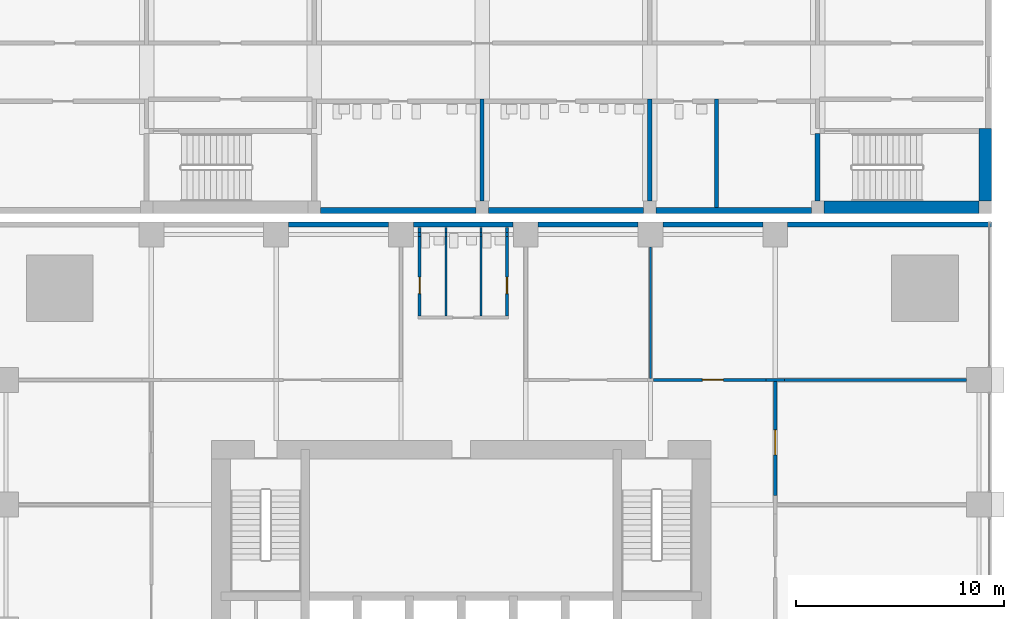
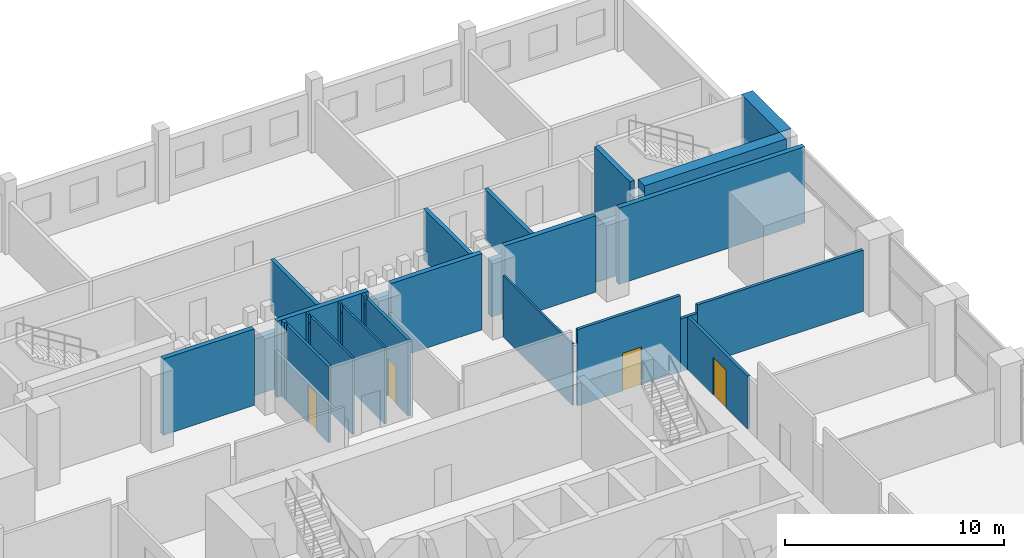
# One storey, part 15 of 24: 31 walls, 4 doors, 4 openings.
"""IFC4 building model written with IfcOpenShell, lengths in metres."""

from ifc_helpers import new_model, si_unit, direction, frame, frame_2d, origin, place, context, subcontext, project, spatial, rectangle, extrude, material, layer, layer_set, type_object, element, fill, save


model = new_model("IFC4")

# Units and contexts
model_context = context("Model", 3, precision=1e-05, world=origin(), true_north=direction((0.0, 1.0)))
body_context = subcontext(model_context, "Body", "Model", "MODEL_VIEW")
ifc_project = project(units=[si_unit("LENGTHUNIT", "METRE"), si_unit("AREAUNIT", "SQUARE_METRE"), si_unit("VOLUMEUNIT", "CUBIC_METRE"), si_unit("PLANEANGLEUNIT", "RADIAN"), si_unit("MASSUNIT", "GRAM", prefix="KILO")], contexts=[model_context])

# Site, building, storey
site_placement = place(None, origin())
site = spatial("IfcSite", under=ifc_project, at=site_placement, CompositionType="ELEMENT")
building_placement = place(site_placement, origin())
building = spatial("IfcBuilding", under=site, at=building_placement, Name="Amberfall Residences", CompositionType="ELEMENT")
storey_placement = place(building_placement, frame((0.0, 0.0, 19.0)))
storey = spatial("IfcBuildingStorey", under=building, at=storey_placement, Name="L04", CompositionType="ELEMENT", Elevation=19.0)

# Walls
ifc_material_1 = material(Name="Gypsum board on steel studs", Category="steel")
ifc_layer_1 = layer(ifc_material_1, 0.10009765625)
ifc_layer_set_1 = layer_set([ifc_layer_1], Name="Partition 100")
wall_type_1 = type_object("IfcWallType", Name="Partition 100", PredefinedType="PARTITIONING", material=ifc_layer_set_1)
wall_1_placement = place(storey_placement, frame((73.760009765625, 63.47509765625, 0.0), z_axis=(0.0, 0.0, 1.0), x_axis=(0.0, 1.0, 0.0)))
element("IfcWall", 1, at=wall_1_placement, inside=storey, type_object=wall_type_1, Name="Partition 100 L04 005", PredefinedType="PARTITIONING", context=body_context, shape_type="SweptSolid", body=[
    extrude(rectangle(XDim=3.830078125, YDim=0.10009765625, at=frame_2d((1.9150390625, 0.0))), origin(), (0.0, 0.0, 1.0), 4.25),
])
wall_2_placement = place(storey_placement, frame((73.760009765625, 67.30517578125, 0.0), z_axis=(0.0, 0.0, 1.0), x_axis=(0.0, 1.0, 0.0)))
element("IfcWall", 2, at=wall_2_placement, inside=storey, type_object=wall_type_1, Name="Partition 100 L04 006", PredefinedType="PARTITIONING", context=body_context, shape_type="SweptSolid", body=[
    extrude(rectangle(XDim=0.18994140625, YDim=0.10009765625, at=frame_2d((0.094970703125, 0.0))), origin(), (0.0, 0.0, 1.0), 3.797119140625),
])
wall_3_placement = place(storey_placement, frame((73.760009765625, 67.4951171875, 0.0), z_axis=(0.0, 0.0, 1.0), x_axis=(0.0, 1.0, 0.0)))
element("IfcWall", 3, at=wall_3_placement, inside=storey, type_object=wall_type_1, Name="Partition 100 L04 007", PredefinedType="PARTITIONING", context=body_context, shape_type="SweptSolid", body=[
    extrude(rectangle(XDim=0.244873046875, YDim=0.10009765625, at=frame_2d((0.12255859375, 0.0))), origin(), (0.0, 0.0, 1.0), 4.25),
])
wall_4_placement = place(storey_placement, frame((75.43994140625, 63.47509765625, 0.0), z_axis=(0.0, 0.0, 1.0), x_axis=(0.0, 1.0, 0.0)))
element("IfcWall", 4, at=wall_4_placement, inside=storey, type_object=wall_type_1, Name="Partition 100 L04 008", PredefinedType="PARTITIONING", context=body_context, shape_type="SweptSolid", body=[
    extrude(rectangle(XDim=3.830078125, YDim=0.10009765625, at=frame_2d((1.9150390625, 0.0))), origin(), (0.0, 0.0, 1.0), 4.25),
])
wall_5_placement = place(storey_placement, frame((75.43994140625, 67.30517578125, 0.0), z_axis=(0.0, 0.0, 1.0), x_axis=(0.0, 1.0, 0.0)))
element("IfcWall", 5, at=wall_5_placement, inside=storey, type_object=wall_type_1, Name="Partition 100 L04 009", PredefinedType="PARTITIONING", context=body_context, shape_type="SweptSolid", body=[
    extrude(rectangle(XDim=0.18994140625, YDim=0.10009765625, at=frame_2d((0.094970703125, 0.0))), origin(), (0.0, 0.0, 1.0), 3.797119140625),
])
wall_6_placement = place(storey_placement, frame((75.43994140625, 67.4951171875, 0.0), z_axis=(0.0, 0.0, 1.0), x_axis=(0.0, 1.0, 0.0)))
element("IfcWall", 6, at=wall_6_placement, inside=storey, type_object=wall_type_1, Name="Partition 100 L04 010", PredefinedType="PARTITIONING", context=body_context, shape_type="SweptSolid", body=[
    extrude(rectangle(XDim=0.244873046875, YDim=0.10009765625, at=frame_2d((0.12255859375, 0.0))), origin(), (0.0, 0.0, 1.0), 4.25),
])
wall_7_placement = place(storey_placement, frame((83.60009765625, 60.47509765625, 0.0), z_axis=(0.0, 0.0, 1.0), x_axis=(0.0, 1.0, 0.0)))
element("IfcWall", 7, at=wall_7_placement, inside=storey, type_object=wall_type_1, Name="Partition 100 L04 012", PredefinedType="PARTITIONING", context=body_context, shape_type="SweptSolid", body=[
    extrude(rectangle(XDim=6.324951171875, YDim=0.10009765625, at=frame_2d((3.16259765625, 0.0))), origin(), (0.0, 0.0, 1.0), 3.4150390625),
])

# Wall, opening, door
ifc_material_2 = material(Name="Fire-rated gypsum board on steel studs", Category="steel")
ifc_layer_2 = layer(ifc_material_2, 0.14990234375)
ifc_layer_set_2 = layer_set([ifc_layer_2], Name="Partition 150 fire-rated")
wall_type_2 = type_object("IfcWallType", Name="Partition 150 fire-rated", PredefinedType="PARTITIONING", material=ifc_layer_set_2)
wall_8_placement = place(storey_placement, frame((83.745849609375, 60.39990234375, 0.0), z_axis=(0.0, 0.0, 1.0), x_axis=(1.0, 0.0, 0.0)))
wall_8 = element("IfcWall", 8, at=wall_8_placement, inside=storey, type_object=wall_type_2, Name="Partition 150 fire-rated L04 024", PredefinedType="PARTITIONING", context=body_context, shape_type="SweptSolid", body=[
    extrude(rectangle(XDim=5.404052734375, YDim=0.14990234375, at=frame_2d((2.7021484375, 0.0))), origin(), (0.0, 0.0, 1.0), 4.25),
])
opening_1_placement = place(wall_8_placement, frame((2.354248046875, 0.0, 0.0)))
opening_1 = element("IfcOpeningElement", 9, at=opening_1_placement, cuts=wall_8, Name="Opening D2", PredefinedType="OPENING", context=body_context, shape_type="SweptSolid", body=[
    extrude(rectangle(XDim=1.0, YDim=2.10009765625, at=frame_2d((0.5, 1.050048828125))), frame((0.0, 0.0849609375, 0.0), z_axis=(0.0, -1.0, 0.0), x_axis=(1.0, 0.0, 0.0)), (0.0, 0.0, 1.0), 0.169921875),
])
ifc_material_3 = material(Name="Steel fire door leaf", Category="steel")
door_type_1 = type_object("IfcDoorType", Name="Fire door 1000x2100 FD30S", OperationType="SINGLE_SWING_LEFT", PredefinedType="DOOR", material=ifc_material_3)
door_1_placement = place(opening_1_placement, origin())
door_1 = element("IfcDoor", 10, at=door_1_placement, inside=storey, type_object=door_type_1, Name="Door Catering kitchen", OperationType="SINGLE_SWING_LEFT", OverallHeight=2.10009765625, OverallWidth=1.0, PredefinedType="DOOR", context=body_context, shape_type="SweptSolid", body=[
    extrude(rectangle(XDim=1.0, YDim=2.10009765625, at=frame_2d((0.5, 1.050048828125))), frame((0.0, 0.02490234375, 0.0), z_axis=(0.0, -1.0, 0.0), x_axis=(1.0, 0.0, 0.0)), (0.0, 0.0, 1.0), 0.050048828125),
])
fill(opening_1, door_1)

# Walls
wall_9_placement = place(storey_placement, frame((89.14990234375, 60.39990234375, 0.0), z_axis=(0.0, 0.0, 1.0), x_axis=(1.0, 0.0, 0.0)))
element("IfcWall", 11, at=wall_9_placement, inside=storey, type_object=wall_type_2, Name="Partition 150 fire-rated L04 025", PredefinedType="PARTITIONING", context=body_context, shape_type="SweptSolid", body=[
    extrude(rectangle(XDim=0.900146484375, YDim=0.14990234375, at=frame_2d((0.4501953125, 0.0))), origin(), (0.0, 0.0, 1.0), 2.947021484375),
])
wall_10_placement = place(storey_placement, frame((90.050048828125, 60.39990234375, 0.0), z_axis=(0.0, 0.0, 1.0), x_axis=(1.0, 0.0, 0.0)))
element("IfcWall", 12, at=wall_10_placement, inside=storey, type_object=wall_type_2, Name="Partition 150 fire-rated L04 026", PredefinedType="PARTITIONING", context=body_context, shape_type="SweptSolid", body=[
    extrude(rectangle(XDim=8.75, YDim=0.14990234375, at=frame_2d((4.375, 0.0))), origin(), (0.0, 0.0, 1.0), 3.4150390625),
])

# Wall, opening, door
wall_11_placement = place(storey_placement, frame((72.5, 63.47509765625, 0.0), z_axis=(0.0, 0.0, 1.0), x_axis=(0.0, 1.0, 0.0)))
wall_11 = element("IfcWall", 13, at=wall_11_placement, inside=storey, type_object=wall_type_2, Name="Partition 150 fire-rated L04 038", PredefinedType="PARTITIONING", context=body_context, shape_type="SweptSolid", body=[
    extrude(rectangle(XDim=3.830078125, YDim=0.14990234375, at=frame_2d((1.9150390625, 0.0))), origin(), (0.0, 0.0, 1.0), 4.25),
])
opening_2_placement = place(wall_11_placement, frame((1.074951171875, 0.0, 0.0)))
opening_2 = element("IfcOpeningElement", 14, at=opening_2_placement, cuts=wall_11, Name="Opening D3", PredefinedType="OPENING", context=body_context, shape_type="SweptSolid", body=[
    extrude(rectangle(XDim=0.800048828125, YDim=2.10009765625, at=frame_2d((0.39990234375, 1.050048828125))), frame((0.0, 0.0849609375, 0.0), z_axis=(0.0, -1.0, 0.0), x_axis=(1.0, 0.0, 0.0)), (0.0, 0.0, 1.0), 0.169921875),
])
ifc_material_4 = material(Name="Timber veneer door leaf", Category="wood")
door_type_2 = type_object("IfcDoorType", Name="Toilet door 800x2100", OperationType="SINGLE_SWING_LEFT", PredefinedType="DOOR", material=ifc_material_4)
door_2_placement = place(opening_2_placement, origin())
door_2 = element("IfcDoor", 15, at=door_2_placement, inside=storey, type_object=door_type_2, Name="Door Gents WC L04", OperationType="SINGLE_SWING_LEFT", OverallHeight=2.10009765625, OverallWidth=0.800048828125, PredefinedType="DOOR", context=body_context, shape_type="SweptSolid", body=[
    extrude(rectangle(XDim=0.800048828125, YDim=2.10009765625, at=frame_2d((0.39990234375, 1.050048828125))), frame((0.0, 0.02490234375, 0.0), z_axis=(0.0, -1.0, 0.0), x_axis=(1.0, 0.0, 0.0)), (0.0, 0.0, 1.0), 0.050048828125),
])
fill(opening_2, door_2)

# Walls
wall_12_placement = place(storey_placement, frame((72.5, 67.30517578125, 0.0), z_axis=(0.0, 0.0, 1.0), x_axis=(0.0, 1.0, 0.0)))
element("IfcWall", 16, at=wall_12_placement, inside=storey, type_object=wall_type_2, Name="Partition 150 fire-rated L04 039", PredefinedType="PARTITIONING", context=body_context, shape_type="SweptSolid", body=[
    extrude(rectangle(XDim=0.18994140625, YDim=0.14990234375, at=frame_2d((0.094970703125, 0.0))), origin(), (0.0, 0.0, 1.0), 3.797119140625),
])
wall_13_placement = place(storey_placement, frame((72.5, 67.4951171875, 0.0), z_axis=(0.0, 0.0, 1.0), x_axis=(0.0, 1.0, 0.0)))
element("IfcWall", 17, at=wall_13_placement, inside=storey, type_object=wall_type_2, Name="Partition 150 fire-rated L04 040", PredefinedType="PARTITIONING", context=body_context, shape_type="SweptSolid", body=[
    extrude(rectangle(XDim=0.244873046875, YDim=0.14990234375, at=frame_2d((0.12255859375, 0.0))), origin(), (0.0, 0.0, 1.0), 4.25),
])

# Wall, opening, door
wall_14_placement = place(storey_placement, frame((76.699951171875, 63.47509765625, 0.0), z_axis=(0.0, 0.0, 1.0), x_axis=(0.0, 1.0, 0.0)))
wall_14 = element("IfcWall", 18, at=wall_14_placement, inside=storey, type_object=wall_type_2, Name="Partition 150 fire-rated L04 041", PredefinedType="PARTITIONING", context=body_context, shape_type="SweptSolid", body=[
    extrude(rectangle(XDim=3.830078125, YDim=0.14990234375, at=frame_2d((1.9150390625, 0.0))), origin(), (0.0, 0.0, 1.0), 4.25),
])
opening_3_placement = place(wall_14_placement, frame((1.074951171875, 0.0, 0.0)))
opening_3 = element("IfcOpeningElement", 19, at=opening_3_placement, cuts=wall_14, Name="Opening D3", PredefinedType="OPENING", context=body_context, shape_type="SweptSolid", body=[
    extrude(rectangle(XDim=0.800048828125, YDim=2.10009765625, at=frame_2d((0.39990234375, 1.050048828125))), frame((0.0, 0.0849609375, 0.0), z_axis=(0.0, -1.0, 0.0), x_axis=(1.0, 0.0, 0.0)), (0.0, 0.0, 1.0), 0.169921875),
])
door_3_placement = place(opening_3_placement, origin())
door_3 = element("IfcDoor", 20, at=door_3_placement, inside=storey, type_object=door_type_2, Name="Door Ladies WC L04", OperationType="SINGLE_SWING_LEFT", OverallHeight=2.10009765625, OverallWidth=0.800048828125, PredefinedType="DOOR", context=body_context, shape_type="SweptSolid", body=[
    extrude(rectangle(XDim=0.800048828125, YDim=2.10009765625, at=frame_2d((0.39990234375, 1.050048828125))), frame((0.0, 0.02490234375, 0.0), z_axis=(0.0, -1.0, 0.0), x_axis=(1.0, 0.0, 0.0)), (0.0, 0.0, 1.0), 0.050048828125),
])
fill(opening_3, door_3)

# Walls
wall_15_placement = place(storey_placement, frame((76.699951171875, 67.30517578125, 0.0), z_axis=(0.0, 0.0, 1.0), x_axis=(0.0, 1.0, 0.0)))
element("IfcWall", 21, at=wall_15_placement, inside=storey, type_object=wall_type_2, Name="Partition 150 fire-rated L04 042", PredefinedType="PARTITIONING", context=body_context, shape_type="SweptSolid", body=[
    extrude(rectangle(XDim=0.18994140625, YDim=0.14990234375, at=frame_2d((0.094970703125, 0.0))), origin(), (0.0, 0.0, 1.0), 3.797119140625),
])
wall_16_placement = place(storey_placement, frame((76.699951171875, 67.4951171875, 0.0), z_axis=(0.0, 0.0, 1.0), x_axis=(0.0, 1.0, 0.0)))
element("IfcWall", 22, at=wall_16_placement, inside=storey, type_object=wall_type_2, Name="Partition 150 fire-rated L04 043", PredefinedType="PARTITIONING", context=body_context, shape_type="SweptSolid", body=[
    extrude(rectangle(XDim=0.244873046875, YDim=0.14990234375, at=frame_2d((0.12255859375, 0.0))), origin(), (0.0, 0.0, 1.0), 4.25),
])

# Wall, opening, door
wall_17_placement = place(storey_placement, frame((89.60009765625, 54.85009765625, 0.0), z_axis=(0.0, 0.0, 1.0), x_axis=(0.0, 1.0, 0.0)))
wall_17 = element("IfcWall", 23, at=wall_17_placement, inside=storey, type_object=wall_type_2, Name="Partition 150 fire-rated L04 053", PredefinedType="PARTITIONING", context=body_context, shape_type="SweptSolid", body=[
    extrude(rectangle(XDim=5.474853515625, YDim=0.14990234375, at=frame_2d((2.7373046875, 0.0))), origin(), (0.0, 0.0, 1.0), 2.947021484375),
])
opening_4_placement = place(wall_17_placement, frame((1.949951171875, 0.0, 0.0)))
opening_4 = element("IfcOpeningElement", 24, at=opening_4_placement, cuts=wall_17, Name="Opening D7", PredefinedType="OPENING", context=body_context, shape_type="SweptSolid", body=[
    extrude(rectangle(XDim=1.199951171875, YDim=2.10009765625, at=frame_2d((0.60009765625, 1.050048828125))), frame((0.0, 0.0849609375, 0.0), z_axis=(0.0, -1.0, 0.0), x_axis=(1.0, 0.0, 0.0)), (0.0, 0.0, 1.0), 0.169921875),
])
door_type_3 = type_object("IfcDoorType", Name="Plant room door 1200x2100", OperationType="SINGLE_SWING_LEFT", PredefinedType="DOOR", material=ifc_material_3)
door_4_placement = place(opening_4_placement, origin())
door_4 = element("IfcDoor", 25, at=door_4_placement, inside=storey, type_object=door_type_3, Name="Door Terrace plant room", OperationType="SINGLE_SWING_LEFT", OverallHeight=2.10009765625, OverallWidth=1.199951171875, PredefinedType="DOOR", context=body_context, shape_type="SweptSolid", body=[
    extrude(rectangle(XDim=1.199951171875, YDim=2.10009765625, at=frame_2d((0.60009765625, 1.050048828125))), frame((0.0, 0.02490234375, 0.0), z_axis=(0.0, -1.0, 0.0), x_axis=(1.0, 0.0, 0.0)), (0.0, 0.0, 1.0), 0.050048828125),
])
fill(opening_4, door_4)

# Walls
ifc_material_5 = material(Name="Precast concrete C40", Category="concrete")
ifc_layer_3 = layer(ifc_material_5, 0.25)
ifc_layer_set_3 = layer_set([ifc_layer_3], Name="Podium external wall 250")
wall_type_3 = type_object("IfcWallType", Name="Podium external wall 250", PredefinedType="SOLIDWALL", material=ifc_layer_set_3)
for number, where, z_axis, x_axis, name in (
    (26, (66.199951171875, 67.875, 0.0), (0.0, 0.0, 1.0), (1.0, 0.0, 0.0), "Podium external wall N3"),
    (27, (72.199951171875, 67.875, 0.0), (0.0, 0.0, 1.0), (1.0, 0.0, 0.0), "Podium external wall N4"),
    (28, (78.199951171875, 67.875, 0.0), (0.0, 0.0, 1.0), (1.0, 0.0, 0.0), "Podium external wall N5"),
    (29, (84.199951171875, 67.875, 0.0), (0.0, 0.0, 1.0), (1.0, 0.0, 0.0), "Podium external wall N6"),
):
    element("IfcWall", number, at=place(storey_placement, frame(where, z_axis=z_axis, x_axis=x_axis)), inside=storey, type_object=wall_type_3, Name=name, PredefinedType="SOLIDWALL", context=body_context, shape_type="SweptSolid", body=[
        extrude(rectangle(XDim=4.800048828125, YDim=0.25, at=frame_2d((2.39990234375, 0.0))), origin(), (0.0, 0.0, 1.0), 4.25),
    ])
wall_18_placement = place(storey_placement, frame((90.199951171875, 67.875, 0.0), z_axis=(0.0, 0.0, 1.0), x_axis=(1.0, 0.0, 0.0)))
element("IfcWall", 30, at=wall_18_placement, inside=storey, type_object=wall_type_3, Name="Podium external wall N7", PredefinedType="SOLIDWALL", context=body_context, shape_type="SweptSolid", body=[
    extrude(rectangle(XDim=9.800048828125, YDim=0.25, at=frame_2d((4.89990234375, 0.0))), origin(), (0.0, 0.0, 1.0), 4.25),
])
ifc_material_6 = material(Name="Aerated block wall")
ifc_layer_4 = layer(ifc_material_6, 0.300048828125)
ifc_layer_set_4 = layer_set([ifc_layer_4], Name="School external wall 300")
wall_type_4 = type_object("IfcWallType", Name="School external wall 300", PredefinedType="SOLIDWALL", material=ifc_layer_set_4)
for number, where, z_axis, x_axis, name in (
    (31, (67.73291015625, 68.550048828125, 0.0), (0.0, 0.0, 1.0), (1.0, 0.0, 0.0), "School external wall L04 EY2"),
    (32, (75.800048828125, 68.550048828125, 0.0), (0.0, 0.0, 1.0), (1.0, 0.0, 0.0), "School external wall L04 EY3"),
):
    element("IfcWall", number, at=place(storey_placement, frame(where, z_axis=z_axis, x_axis=x_axis)), inside=storey, type_object=wall_type_4, Name=name, PredefinedType="SOLIDWALL", context=body_context, shape_type="SweptSolid", body=[
        extrude(rectangle(XDim=7.467041015625, YDim=0.300048828125, at=frame_2d((3.7333984375, 0.0))), origin(), (0.0, 0.0, 1.0), 3.14990234375),
    ])
wall_19_placement = place(storey_placement, frame((83.866943359375, 68.550048828125, 0.0), z_axis=(0.0, 0.0, 1.0), x_axis=(1.0, 0.0, 0.0)))
element("IfcWall", 33, at=wall_19_placement, inside=storey, type_object=wall_type_4, Name="School external wall L04 EY4", PredefinedType="SOLIDWALL", context=body_context, shape_type="SweptSolid", body=[
    extrude(rectangle(XDim=7.466064453125, YDim=0.300048828125, at=frame_2d((3.73291015625, 0.0))), origin(), (0.0, 0.0, 1.0), 3.14990234375),
])
ifc_layer_5 = layer(ifc_material_6, 0.199951171875)
ifc_layer_set_5 = layer_set([ifc_layer_5], Name="School partition 200")
wall_type_5 = type_object("IfcWallType", Name="School partition 200", PredefinedType="PARTITIONING", material=ifc_layer_set_5)
for number, where, z_axis, x_axis, name in (
    (34, (75.5, 69.0, 0.0), (0.0, 0.0, 1.0), (0.0, 1.0, 0.0), "School partition L04 PS3"),
    (35, (83.56689453125, 69.0, 0.0), (0.0, 0.0, 1.0), (0.0, 1.0, 0.0), "School partition L04 PS4"),
):
    element("IfcWall", number, at=place(storey_placement, frame(where, z_axis=z_axis, x_axis=x_axis)), inside=storey, type_object=wall_type_5, Name=name, PredefinedType="PARTITIONING", context=body_context, shape_type="SweptSolid", body=[
        extrude(rectangle(XDim=4.89990234375, YDim=0.199951171875, at=frame_2d((2.449951171875, 0.0))), origin(), (0.0, 0.0, 1.0), 2.85009765625),
    ])
wall_20_placement = place(storey_placement, frame((86.76708984375, 68.699951171875, 0.0), z_axis=(0.0, 0.0, 1.0), x_axis=(0.0, 1.0, 0.0)))
element("IfcWall", 36, at=wall_20_placement, inside=storey, type_object=wall_type_5, Name="School partition L04 PS4x", PredefinedType="PARTITIONING", context=body_context, shape_type="SweptSolid", body=[
    extrude(rectangle(XDim=5.199951171875, YDim=0.199951171875, at=frame_2d((2.60009765625, 0.0))), origin(), (0.0, 0.0, 1.0), 2.85009765625),
])
ifc_material_7 = material(Name="Concrete C50", Category="concrete")
ifc_layer_6 = layer(ifc_material_7, 0.25)
ifc_layer_set_6 = layer_set([ifc_layer_6], Name="School stair core wall 250 C50")
wall_type_6 = type_object("IfcWallType", Name="School stair core wall 250 C50", PredefinedType="SHEAR", material=ifc_layer_set_6)
wall_21_placement = place(storey_placement, frame((91.633056640625, 69.0, -0.300048828125), z_axis=(0.0, 0.0, 1.0), x_axis=(0.0, 1.0, 0.0)))
element("IfcWall", 37, at=wall_21_placement, inside=storey, type_object=wall_type_6, Name="School core wall L04 SS5W", PredefinedType="SHEAR", context=body_context, shape_type="SweptSolid", body=[
    extrude(rectangle(XDim=3.25, YDim=0.25, at=frame_2d((1.625, 0.0))), origin(), (0.0, 0.0, 1.0), 4.800048828125),
])
ifc_layer_7 = layer(ifc_material_7, 0.60009765625)
ifc_layer_set_7 = layer_set([ifc_layer_7], Name="School tower-side core wall 600 C50")
wall_type_7 = type_object("IfcWallType", Name="School tower-side core wall 600 C50", PredefinedType="SHEAR", material=ifc_layer_set_7)
wall_22_placement = place(storey_placement, frame((99.699951171875, 69.0, -0.300048828125), z_axis=(0.0, 0.0, 1.0), x_axis=(0.0, 1.0, 0.0)))
element("IfcWall", 38, at=wall_22_placement, inside=storey, type_object=wall_type_7, Name="School core wall L04 SS5EE", PredefinedType="SHEAR", context=body_context, shape_type="SweptSolid", body=[
    extrude(rectangle(XDim=3.5, YDim=0.60009765625, at=frame_2d((1.75, 0.0))), origin(), (0.0, 0.0, 1.0), 4.800048828125),
])
wall_23_placement = place(storey_placement, frame((91.93310546875, 68.699951171875, -0.300048828125), z_axis=(0.0, 0.0, 1.0), x_axis=(1.0, 0.0, 0.0)))
element("IfcWall", 39, at=wall_23_placement, inside=storey, type_object=wall_type_7, Name="School core wall L04 SS5S", PredefinedType="SHEAR", context=body_context, shape_type="SweptSolid", body=[
    extrude(rectangle(XDim=7.466796875, YDim=0.60009765625, at=frame_2d((3.7333984375, 0.0))), origin(), (0.0, 0.0, 1.0), 4.800048828125),
])

save(model, "model.ifc")
